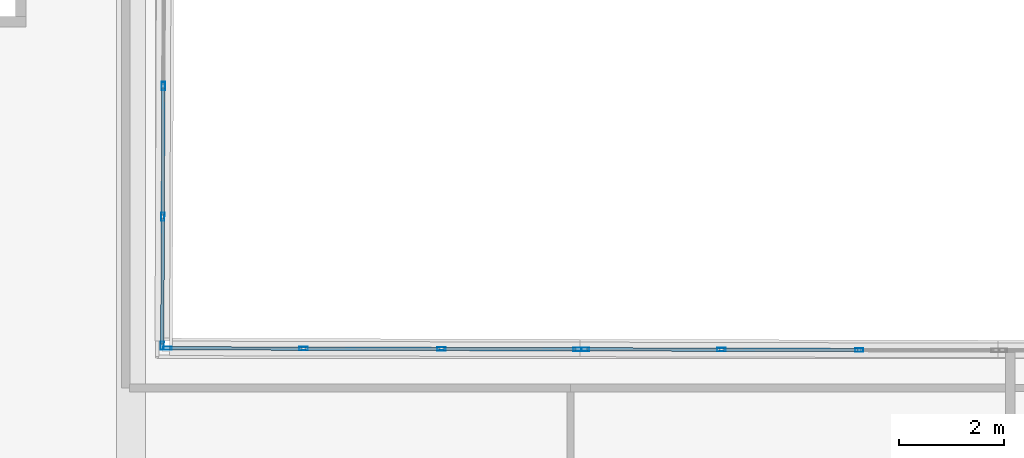
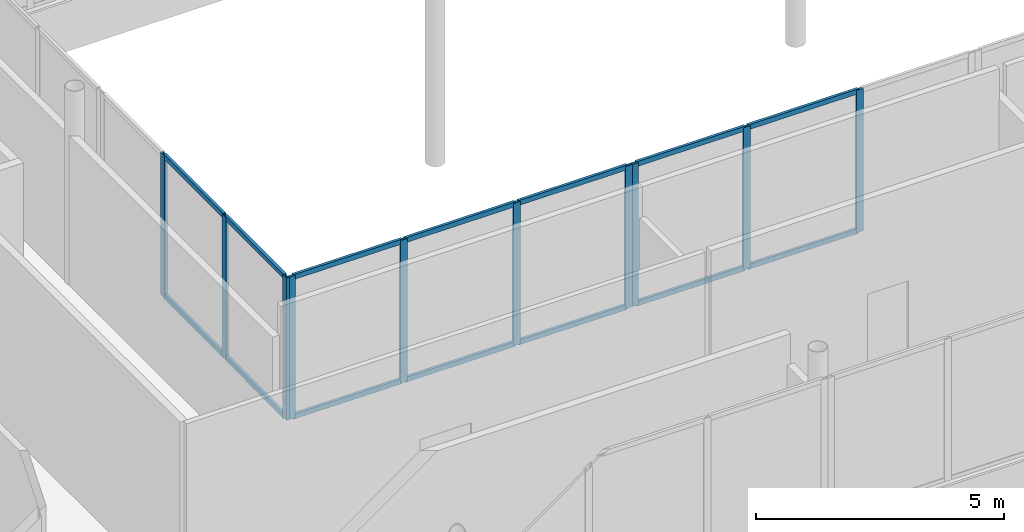
# One storey, part 40 of 168: 24 members, 3 elements without a shape of their own.
"""IFC4 building model written with IfcOpenShell, lengths in metres."""

from ifc_helpers import new_model, si_unit, direction, frame, origin, origin_2d, place, context, subcontext, project, spatial, hollow_rectangle, extrude, material, material_profile, profile_set, type_object, element, aggregate, save


model = new_model("IFC4")

# Units and contexts
model_context = context("Model", 3, precision=1e-05, world=origin(), true_north=direction((0.0, 1.0)))
body_context = subcontext(model_context, "Body", "Model", "MODEL_VIEW")
ifc_project = project(units=[si_unit("LENGTHUNIT", "METRE"), si_unit("AREAUNIT", "SQUARE_METRE"), si_unit("VOLUMEUNIT", "CUBIC_METRE"), si_unit("PLANEANGLEUNIT", "RADIAN"), si_unit("MASSUNIT", "GRAM", prefix="KILO")], contexts=[model_context])

# Site, building, storey
site_placement = place(None, origin())
site = spatial("IfcSite", under=ifc_project, at=site_placement, CompositionType="ELEMENT")
building_placement = place(site_placement, origin())
building = spatial("IfcBuilding", under=site, at=building_placement, Name="Selatvlak General Hospital", CompositionType="ELEMENT")
storey_placement = place(building_placement, frame((0.0, 0.0, 5.39990234375)))
storey = spatial("IfcBuildingStorey", under=building, at=storey_placement, Name="L01", CompositionType="ELEMENT", Elevation=5.39990234375)

# Curtain wall, members
ifc_material_1 = material(Name="Solar-control Low-E double glazing", Category="glass")
curtain_wall_type_1 = type_object("IfcCurtainWallType", Name="CW-CW-02", PredefinedType="USERDEFINED", material=ifc_material_1)
curtain_wall_1_placement = place(storey_placement, origin())
curtain_wall_1 = element("IfcCurtainWall", 1, at=curtain_wall_1_placement, inside=storey, type_object=curtain_wall_type_1, Name="Glazed facade curtain wall CW-L01-0230", ObjectType="UNITISED CURTAIN WALL", PredefinedType="USERDEFINED")
ifc_material_2 = material(Name="Dark anodised aluminium mullion", Category="aluminium")
ifc_material_profile_1 = material_profile(ifc_material_2, hollow_rectangle(XDim=0.06494140625, YDim=0.159912109375, WallThickness=0.00390625, at=origin_2d()), Name="AL-MUL 65x160x4")
ifc_profile_set_1 = profile_set([ifc_material_profile_1], Name="Dark anodised aluminium mullion")
member_type_1 = type_object("IfcMemberType", Name="CWM-01", PredefinedType="MULLION", material=ifc_profile_set_1)
member_1_placement = place(storey_placement, frame((40.219970703125, 65.46826171875, 0.940185546875), z_axis=(0.0, 0.0, 1.0), x_axis=(0.99999197872, -0.00400530832, 0.0)))
member_1 = element("IfcMember", 2, at=member_1_placement, type_object=member_type_1, Name="CW-02 mullion 2", PredefinedType="MULLION", context=body_context, shape_type="SweptSolid", body=[
    extrude(hollow_rectangle(XDim=0.06494140625, YDim=0.159912109375, WallThickness=0.00390625, at=origin_2d()), origin(), (0.0, 0.0, 1.0), 3.5048828125),
])
member_2_placement = place(storey_placement, frame((40.2099609375, 62.9716796875, 0.940185546875), z_axis=(0.0, 0.0, 1.0), x_axis=(0.99999197872, -0.00400530832, 0.0)))
member_2 = element("IfcMember", 3, at=member_2_placement, type_object=member_type_1, Name="CW-02 mullion 3", PredefinedType="MULLION", context=body_context, shape_type="SweptSolid", body=[
    extrude(hollow_rectangle(XDim=0.06494140625, YDim=0.159912109375, WallThickness=0.00390625, at=origin_2d()), origin(), (0.0, 0.0, 1.0), 3.5048828125),
])
member_3_placement = place(storey_placement, frame((40.2001953125, 60.507568359375, 0.940185546875), z_axis=(0.0, 0.0, 1.0), x_axis=(0.99999197872, -0.00400530832, 0.0)))
member_3 = element("IfcMember", 4, at=member_3_placement, type_object=member_type_1, Name="CW-02 mullion 4", PredefinedType="MULLION", context=body_context, shape_type="SweptSolid", body=[
    extrude(hollow_rectangle(XDim=0.06494140625, YDim=0.159912109375, WallThickness=0.00390625, at=origin_2d()), origin(), (0.0, 0.0, 1.0), 3.5048828125),
])

curtain_wall_type_2 = type_object("IfcCurtainWallType", Name="CW-CW-01", PredefinedType="USERDEFINED", material=ifc_material_1)
curtain_wall_2_placement = place(storey_placement, origin())
curtain_wall_2 = element("IfcCurtainWall", 5, at=curtain_wall_2_placement, inside=storey, type_object=curtain_wall_type_2, Name="Glazed facade curtain wall CW-L01-0231", ObjectType="UNITISED CURTAIN WALL", PredefinedType="USERDEFINED")
member_4_placement = place(storey_placement, frame((40.297607421875, 60.4599609375, 0.940185546875), z_axis=(0.0, 0.0, 1.0), x_axis=(0.002531637448, 0.999996795401, 0.0)))
member_4 = element("IfcMember", 6, at=member_4_placement, type_object=member_type_1, Name="CW-01 mullion 1", PredefinedType="MULLION", context=body_context, shape_type="SweptSolid", body=[
    extrude(hollow_rectangle(XDim=0.06494140625, YDim=0.159912109375, WallThickness=0.00390625, at=origin_2d()), origin(), (0.0, 0.0, 1.0), 3.5048828125),
])
member_5_placement = place(storey_placement, frame((42.8984375, 60.453369140625, 0.940185546875), z_axis=(0.0, 0.0, 1.0), x_axis=(0.002531637448, 0.999996795401, 0.0)))
member_5 = element("IfcMember", 7, at=member_5_placement, type_object=member_type_1, Name="CW-01 mullion 2", PredefinedType="MULLION", context=body_context, shape_type="SweptSolid", body=[
    extrude(hollow_rectangle(XDim=0.06494140625, YDim=0.159912109375, WallThickness=0.00390625, at=origin_2d()), origin(), (0.0, 0.0, 1.0), 3.5048828125),
])
member_6_placement = place(storey_placement, frame((45.53173828125, 60.44677734375, 0.940185546875), z_axis=(0.0, 0.0, 1.0), x_axis=(0.002531637448, 0.999996795401, 0.0)))
member_6 = element("IfcMember", 8, at=member_6_placement, type_object=member_type_1, Name="CW-01 mullion 3", PredefinedType="MULLION", context=body_context, shape_type="SweptSolid", body=[
    extrude(hollow_rectangle(XDim=0.06494140625, YDim=0.159912109375, WallThickness=0.00390625, at=origin_2d()), origin(), (0.0, 0.0, 1.0), 3.5048828125),
])
member_7_placement = place(storey_placement, frame((48.132568359375, 60.440185546875, 0.940185546875), z_axis=(0.0, 0.0, 1.0), x_axis=(0.002531637448, 0.999996795401, 0.0)))
member_7 = element("IfcMember", 9, at=member_7_placement, type_object=member_type_1, Name="CW-01 mullion 4", PredefinedType="MULLION", context=body_context, shape_type="SweptSolid", body=[
    extrude(hollow_rectangle(XDim=0.06494140625, YDim=0.159912109375, WallThickness=0.00390625, at=origin_2d()), origin(), (0.0, 0.0, 1.0), 3.5048828125),
])

curtain_wall_3_placement = place(storey_placement, origin())
curtain_wall_3 = element("IfcCurtainWall", 10, at=curtain_wall_3_placement, inside=storey, type_object=curtain_wall_type_1, Name="Glazed facade curtain wall CW-L01-0232", ObjectType="UNITISED CURTAIN WALL", PredefinedType="USERDEFINED")
member_8_placement = place(storey_placement, frame((48.277587890625, 60.43994140625, 0.940185546875), z_axis=(0.0, 0.0, 1.0), x_axis=(0.002531637448, 0.999996795401, 0.0)))
member_8 = element("IfcMember", 11, at=member_8_placement, type_object=member_type_1, Name="CW-02 mullion 1", PredefinedType="MULLION", context=body_context, shape_type="SweptSolid", body=[
    extrude(hollow_rectangle(XDim=0.06494140625, YDim=0.159912109375, WallThickness=0.00390625, at=origin_2d()), origin(), (0.0, 0.0, 1.0), 3.5048828125),
])
member_9_placement = place(storey_placement, frame((50.87841796875, 60.433349609375, 0.940185546875), z_axis=(0.0, 0.0, 1.0), x_axis=(0.002531637448, 0.999996795401, 0.0)))
member_9 = element("IfcMember", 12, at=member_9_placement, type_object=member_type_1, Name="CW-02 mullion 2", PredefinedType="MULLION", context=body_context, shape_type="SweptSolid", body=[
    extrude(hollow_rectangle(XDim=0.06494140625, YDim=0.159912109375, WallThickness=0.00390625, at=origin_2d()), origin(), (0.0, 0.0, 1.0), 3.5048828125),
])
member_10_placement = place(storey_placement, frame((53.51171875, 60.4267578125, 0.940185546875), z_axis=(0.0, 0.0, 1.0), x_axis=(0.002531637448, 0.999996795401, 0.0)))
member_10 = element("IfcMember", 13, at=member_10_placement, type_object=member_type_1, Name="CW-02 mullion 3", PredefinedType="MULLION", context=body_context, shape_type="SweptSolid", body=[
    extrude(hollow_rectangle(XDim=0.06494140625, YDim=0.159912109375, WallThickness=0.00390625, at=origin_2d()), origin(), (0.0, 0.0, 1.0), 3.5048828125),
])

# Member
ifc_material_profile_2 = material_profile(ifc_material_2, hollow_rectangle(XDim=0.06494140625, YDim=0.1201171875, WallThickness=0.00390625, at=origin_2d()), Name="AL-TRN 65x120x4")
ifc_profile_set_2 = profile_set([ifc_material_profile_2], Name="Dark anodised aluminium mullion")
member_type_2 = type_object("IfcMemberType", Name="CWT-01", PredefinedType="USERDEFINED", material=ifc_profile_set_2)
member_11_placement = place(storey_placement, frame((40.219970703125, 65.435791015625, 0.97265625), z_axis=(-0.00401603187, -0.999991935711, 0.0), x_axis=(0.999991935711, -0.00401603187, 0.0)))
member_11 = element("IfcMember", 14, at=member_11_placement, type_object=member_type_2, Name="CW-02 transom 2.1", ObjectType="TRANSOM", PredefinedType="USERDEFINED", context=body_context, shape_type="SweptSolid", body=[
    extrude(hollow_rectangle(XDim=0.06494140625, YDim=0.1201171875, WallThickness=0.00390625, at=origin_2d()), origin(), (0.0, 0.0, 1.0), 2.431640625),
])

member_12_placement = place(storey_placement, frame((40.219970703125, 65.435791015625, 4.41259765625), z_axis=(-0.00401603187, -0.999991935711, 0.0), x_axis=(0.999991935711, -0.00401603187, 0.0)))
member_12 = element("IfcMember", 15, at=member_12_placement, type_object=member_type_2, Name="CW-02 transom 2.2", ObjectType="TRANSOM", PredefinedType="USERDEFINED", context=body_context, shape_type="SweptSolid", body=[
    extrude(hollow_rectangle(XDim=0.06494140625, YDim=0.1201171875, WallThickness=0.00390625, at=origin_2d()), origin(), (0.0, 0.0, 1.0), 2.431640625),
])

member_13_placement = place(storey_placement, frame((40.2099609375, 62.939208984375, 0.97265625), z_axis=(-0.004070384516, -0.999991715951, 0.0), x_axis=(0.999991715951, -0.004070384516, 0.0)))
member_13 = element("IfcMember", 16, at=member_13_placement, type_object=member_type_2, Name="CW-02 transom 3.1", ObjectType="TRANSOM", PredefinedType="USERDEFINED", context=body_context, shape_type="SweptSolid", body=[
    extrude(hollow_rectangle(XDim=0.06494140625, YDim=0.1201171875, WallThickness=0.00390625, at=origin_2d()), origin(), (0.0, 0.0, 1.0), 2.399169921875),
])

member_14_placement = place(storey_placement, frame((40.2099609375, 62.939208984375, 4.41259765625), z_axis=(-0.004070384516, -0.999991715951, 0.0), x_axis=(0.999991715951, -0.004070384516, 0.0)))
member_14 = element("IfcMember", 17, at=member_14_placement, type_object=member_type_2, Name="CW-02 transom 3.2", ObjectType="TRANSOM", PredefinedType="USERDEFINED", context=body_context, shape_type="SweptSolid", body=[
    extrude(hollow_rectangle(XDim=0.06494140625, YDim=0.1201171875, WallThickness=0.00390625, at=origin_2d()), origin(), (0.0, 0.0, 1.0), 2.399169921875),
])

aggregate(curtain_wall_1, [member_1, member_2, member_3, member_11, member_12, member_13, member_14])

member_15_placement = place(storey_placement, frame((40.330078125, 60.459716796875, 0.97265625), z_axis=(0.999996866584, -0.002503362077, 0.0), x_axis=(0.002503362077, 0.999996866584, 0.0)))
member_15 = element("IfcMember", 18, at=member_15_placement, type_object=member_type_2, Name="CW-01 transom 1.1", ObjectType="TRANSOM", PredefinedType="USERDEFINED", context=body_context, shape_type="SweptSolid", body=[
    extrude(hollow_rectangle(XDim=0.06494140625, YDim=0.1201171875, WallThickness=0.00390625, at=origin_2d()), origin(), (0.0, 0.0, 1.0), 2.53564453125),
])

member_16_placement = place(storey_placement, frame((40.330078125, 60.459716796875, 4.41259765625), z_axis=(0.999996866584, -0.002503362077, 0.0), x_axis=(0.002503362077, 0.999996866584, 0.0)))
member_16 = element("IfcMember", 19, at=member_16_placement, type_object=member_type_2, Name="CW-01 transom 1.2", ObjectType="TRANSOM", PredefinedType="USERDEFINED", context=body_context, shape_type="SweptSolid", body=[
    extrude(hollow_rectangle(XDim=0.06494140625, YDim=0.1201171875, WallThickness=0.00390625, at=origin_2d()), origin(), (0.0, 0.0, 1.0), 2.53564453125),
])

member_17_placement = place(storey_placement, frame((42.930908203125, 60.453369140625, 0.97265625), z_axis=(0.999996706453, -0.002566531471, 0.0), x_axis=(0.002566531471, 0.999996706453, 0.0)))
member_17 = element("IfcMember", 20, at=member_17_placement, type_object=member_type_2, Name="CW-01 transom 2.1", ObjectType="TRANSOM", PredefinedType="USERDEFINED", context=body_context, shape_type="SweptSolid", body=[
    extrude(hollow_rectangle(XDim=0.06494140625, YDim=0.1201171875, WallThickness=0.00390625, at=origin_2d()), origin(), (0.0, 0.0, 1.0), 2.568359375),
])

member_18_placement = place(storey_placement, frame((42.930908203125, 60.453369140625, 4.41259765625), z_axis=(0.999996706453, -0.002566531471, 0.0), x_axis=(0.002566531471, 0.999996706453, 0.0)))
member_18 = element("IfcMember", 21, at=member_18_placement, type_object=member_type_2, Name="CW-01 transom 2.2", ObjectType="TRANSOM", PredefinedType="USERDEFINED", context=body_context, shape_type="SweptSolid", body=[
    extrude(hollow_rectangle(XDim=0.06494140625, YDim=0.1201171875, WallThickness=0.00390625, at=origin_2d()), origin(), (0.0, 0.0, 1.0), 2.568359375),
])

member_19_placement = place(storey_placement, frame((45.564208984375, 60.446533203125, 0.97265625), z_axis=(0.999996867188, -0.002503121069, 0.0), x_axis=(0.002503121069, 0.999996867188, 0.0)))
member_19 = element("IfcMember", 22, at=member_19_placement, type_object=member_type_2, Name="CW-01 transom 3.1", ObjectType="TRANSOM", PredefinedType="USERDEFINED", context=body_context, shape_type="SweptSolid", body=[
    extrude(hollow_rectangle(XDim=0.06494140625, YDim=0.1201171875, WallThickness=0.00390625, at=origin_2d()), origin(), (0.0, 0.0, 1.0), 2.535888671875),
])

member_20_placement = place(storey_placement, frame((45.564208984375, 60.446533203125, 4.41259765625), z_axis=(0.999996867188, -0.002503121069, 0.0), x_axis=(0.002503121069, 0.999996867188, 0.0)))
member_20 = element("IfcMember", 23, at=member_20_placement, type_object=member_type_2, Name="CW-01 transom 3.2", ObjectType="TRANSOM", PredefinedType="USERDEFINED", context=body_context, shape_type="SweptSolid", body=[
    extrude(hollow_rectangle(XDim=0.06494140625, YDim=0.1201171875, WallThickness=0.00390625, at=origin_2d()), origin(), (0.0, 0.0, 1.0), 2.535888671875),
])

aggregate(curtain_wall_2, [member_4, member_5, member_6, member_7, member_15, member_16, member_17, member_18, member_19, member_20])

member_21_placement = place(storey_placement, frame((48.31005859375, 60.43994140625, 0.97265625), z_axis=(0.999996621569, -0.002599394318, 0.0), x_axis=(0.002599394318, 0.999996621569, 0.0)))
member_21 = element("IfcMember", 24, at=member_21_placement, type_object=member_type_2, Name="CW-02 transom 1.1", ObjectType="TRANSOM", PredefinedType="USERDEFINED", context=body_context, shape_type="SweptSolid", body=[
    extrude(hollow_rectangle(XDim=0.06494140625, YDim=0.1201171875, WallThickness=0.00390625, at=origin_2d()), origin(), (0.0, 0.0, 1.0), 2.535888671875),
])

member_22_placement = place(storey_placement, frame((48.31005859375, 60.43994140625, 4.41259765625), z_axis=(0.999996621569, -0.002599394318, 0.0), x_axis=(0.002599394318, 0.999996621569, 0.0)))
member_22 = element("IfcMember", 25, at=member_22_placement, type_object=member_type_2, Name="CW-02 transom 1.2", ObjectType="TRANSOM", PredefinedType="USERDEFINED", context=body_context, shape_type="SweptSolid", body=[
    extrude(hollow_rectangle(XDim=0.06494140625, YDim=0.1201171875, WallThickness=0.00390625, at=origin_2d()), origin(), (0.0, 0.0, 1.0), 2.535888671875),
])

member_23_placement = place(storey_placement, frame((50.910888671875, 60.433349609375, 0.97265625), z_axis=(0.999996706453, -0.002566531471, 0.0), x_axis=(0.002566531471, 0.999996706453, 0.0)))
member_23 = element("IfcMember", 26, at=member_23_placement, type_object=member_type_2, Name="CW-02 transom 2.1", ObjectType="TRANSOM", PredefinedType="USERDEFINED", context=body_context, shape_type="SweptSolid", body=[
    extrude(hollow_rectangle(XDim=0.06494140625, YDim=0.1201171875, WallThickness=0.00390625, at=origin_2d()), origin(), (0.0, 0.0, 1.0), 2.568359375),
])

member_24_placement = place(storey_placement, frame((50.910888671875, 60.433349609375, 4.41259765625), z_axis=(0.999996706453, -0.002566531471, 0.0), x_axis=(0.002566531471, 0.999996706453, 0.0)))
member_24 = element("IfcMember", 27, at=member_24_placement, type_object=member_type_2, Name="CW-02 transom 2.2", ObjectType="TRANSOM", PredefinedType="USERDEFINED", context=body_context, shape_type="SweptSolid", body=[
    extrude(hollow_rectangle(XDim=0.06494140625, YDim=0.1201171875, WallThickness=0.00390625, at=origin_2d()), origin(), (0.0, 0.0, 1.0), 2.568359375),
])

aggregate(curtain_wall_3, [member_8, member_9, member_10, member_21, member_22, member_23, member_24])

save(model, "model.ifc")
